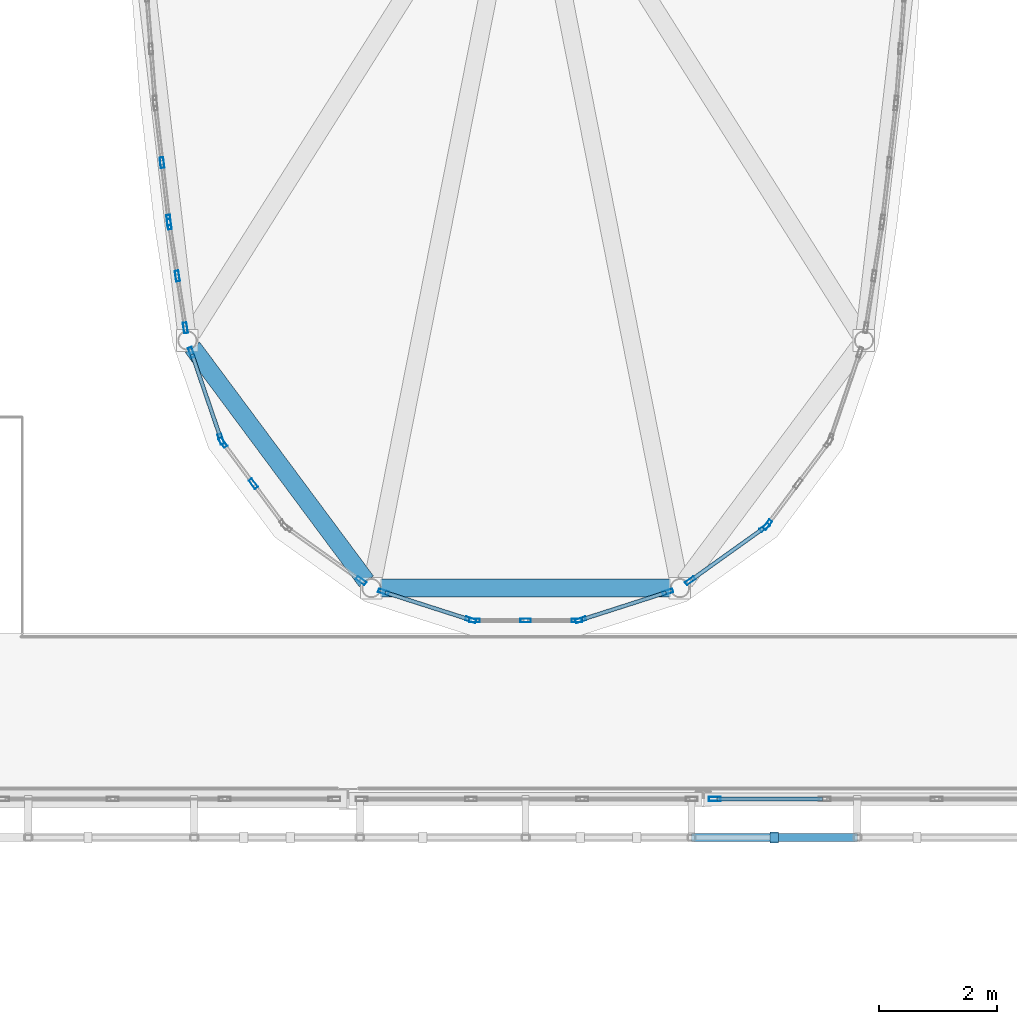
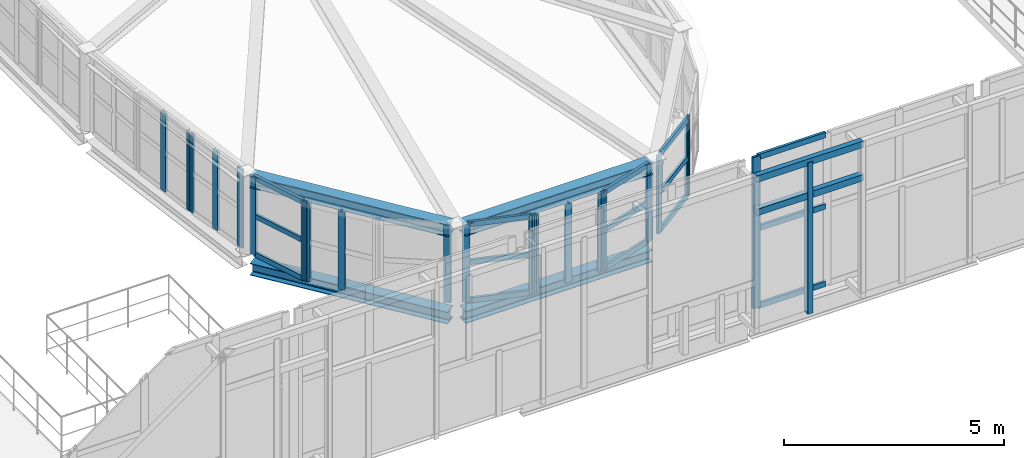
# One storey, part 23 of 78: 39 members, 4 beams, 11 elements without a shape of their own.
"""IFC4 building model written with IfcOpenShell, lengths in metres."""

from ifc_helpers import new_model, si_unit, direction, frame, origin, origin_2d, place, context, subcontext, project, spatial, rectangle, hollow_rectangle, i_section, extrude, material, layer, layer_set, material_profile, profile_set, type_object, element, aggregate, save


model = new_model("IFC4")

# Units and contexts
model_context = context("Model", 3, precision=1e-05, world=origin(), true_north=direction((0.0, 1.0)))
body_context = subcontext(model_context, "Body", "Model", "MODEL_VIEW")
ifc_project = project(units=[si_unit("LENGTHUNIT", "METRE"), si_unit("AREAUNIT", "SQUARE_METRE"), si_unit("VOLUMEUNIT", "CUBIC_METRE"), si_unit("PLANEANGLEUNIT", "RADIAN"), si_unit("MASSUNIT", "GRAM", prefix="KILO")], contexts=[model_context])

# Site, building, storey
site_placement = place(None, origin())
site = spatial("IfcSite", under=ifc_project, at=site_placement, CompositionType="ELEMENT")
building_placement = place(site_placement, origin())
building = spatial("IfcBuilding", under=site, at=building_placement, Name="Vinh Khe Railworks Police Headquarters", CompositionType="ELEMENT")
storey_placement = place(building_placement, frame((0.0, 0.0, 13.199951171875)))
storey = spatial("IfcBuildingStorey", under=building, at=storey_placement, Name="L03", CompositionType="ELEMENT", Elevation=13.199951171875)

# Members
ifc_material_1 = material(Name="Salvaged ironwood timber", Category="wood")
ifc_material_profile_1 = material_profile(ifc_material_1, rectangle(XDim=0.139892578125, YDim=0.179931640625, at=origin_2d()), Name="TIMBER 140x180")
ifc_profile_set_1 = profile_set([ifc_material_profile_1], Name="Salvaged ironwood timber")
member_type_1 = type_object("IfcMemberType", Name="MEM-QUILT-STILE", PredefinedType="CHORD", material=ifc_profile_set_1)
for number, where, z_axis, x_axis, name in (
    (1, (46.0, 24.550048828125, 4.1201171875), (1.0, 0.0, 0.0), (0.0, 1.0, 0.0), "Salvaged Timber Quilt Transom S-L03-07-TOP"),
    (2, (46.0, 24.550048828125, 3.192138671875), (1.0, 0.0, 0.0), (0.0, 1.0, 0.0), "Salvaged Timber Quilt Transom S-L03-07-M1"),
):
    element("IfcMember", number, at=place(storey_placement, frame(where, z_axis=z_axis, x_axis=x_axis)), inside=storey, type_object=member_type_1, Name=name, PredefinedType="CHORD", context=body_context, shape_type="SweptSolid", body=[
        extrude(rectangle(XDim=0.139892578125, YDim=0.179931640625, at=origin_2d()), origin(), (0.0, 0.0, 1.0), 2.800048828125),
    ])
member_1_placement = place(storey_placement, frame((47.39990234375, 24.550048828125, -0.079833984375), z_axis=(0.0, 0.0, 1.0), x_axis=(1.0, 0.0, 0.0)))
element("IfcMember", 3, at=member_1_placement, inside=storey, type_object=member_type_1, Name="Salvaged Timber Quilt Stile S-L03-07-V1", PredefinedType="POST", context=body_context, shape_type="SweptSolid", body=[
    extrude(rectangle(XDim=0.139892578125, YDim=0.179931640625, at=origin_2d()), origin(), (0.0, 0.0, 1.0), 4.199951171875),
])

# Curtain wall, members
ifc_material_2 = material(Name="Anodised aluminium and acoustic laminated glass", Category="aluminium")
ifc_layer_1 = layer(ifc_material_2, 0.159912109375)
ifc_layer_set_1 = layer_set([ifc_layer_1], Name="Anodised aluminium and acoustic laminated glass")
curtain_wall_type_1 = type_object("IfcCurtainWallType", Name="CW-DRUM-CHORD", PredefinedType="USERDEFINED", material=ifc_layer_set_1)
curtain_wall_1_placement = place(storey_placement, origin())
curtain_wall_1 = element("IfcCurtainWall", 4, at=curtain_wall_1_placement, inside=storey, type_object=curtain_wall_type_1, Name="Elliptical Command Drum Glazing L03 Chord 26", ObjectType="DRUM FACADE GLAZING", PredefinedType="USERDEFINED")
ifc_material_3 = material(Name="Anodised aluminium 6063-T6", Category="aluminium")
ifc_material_profile_2 = material_profile(ifc_material_3, hollow_rectangle(XDim=0.06494140625, YDim=0.179931640625, WallThickness=0.0048828125, at=origin_2d()), Name="CW-M 65x180x5")
ifc_profile_set_2 = profile_set([ifc_material_profile_2], Name="Anodised aluminium 6063-T6")
member_type_2 = type_object("IfcMemberType", Name="MULL-CWM-02", PredefinedType="MULLION", material=ifc_profile_set_2)
member_2_placement = place(storey_placement, frame((37.059814453125, 35.947021484375, 0.0), z_axis=(0.0, 0.0, 1.0), x_axis=(0.993328656296, 0.115317737498, 0.0)))
member_2 = element("IfcMember", 5, at=member_2_placement, type_object=member_type_2, Name="CW-02 mullion 2", PredefinedType="MULLION", context=body_context, shape_type="SweptSolid", body=[
    extrude(hollow_rectangle(XDim=0.06494140625, YDim=0.179931640625, WallThickness=0.0048828125, at=origin_2d()), origin(), (0.0, 0.0, 1.0), 2.179931640625),
])
member_3_placement = place(storey_placement, frame((37.1728515625, 34.974853515625, 0.0), z_axis=(0.0, 0.0, 1.0), x_axis=(0.993328656296, 0.115317737498, 0.0)))
member_3 = element("IfcMember", 6, at=member_3_placement, type_object=member_type_2, Name="CW-02 mullion 3", PredefinedType="MULLION", context=body_context, shape_type="SweptSolid", body=[
    extrude(hollow_rectangle(XDim=0.06494140625, YDim=0.179931640625, WallThickness=0.0048828125, at=origin_2d()), origin(), (0.0, 0.0, 1.0), 2.179931640625),
])
aggregate(curtain_wall_1, [member_2, member_3])

curtain_wall_2_placement = place(storey_placement, origin())
curtain_wall_2 = element("IfcCurtainWall", 7, at=curtain_wall_2_placement, inside=storey, type_object=curtain_wall_type_1, Name="Elliptical Command Drum Glazing L03 Chord 27", ObjectType="DRUM FACADE GLAZING", PredefinedType="USERDEFINED")
member_4_placement = place(storey_placement, frame((37.181396484375, 34.910400390625, 0.0), z_axis=(0.0, 0.0, 1.0), x_axis=(0.988150371063, 0.153488905684, 0.0)))
member_4 = element("IfcMember", 8, at=member_4_placement, type_object=member_type_2, Name="CW-02 mullion 1", PredefinedType="MULLION", context=body_context, shape_type="SweptSolid", body=[
    extrude(hollow_rectangle(XDim=0.06494140625, YDim=0.179931640625, WallThickness=0.0048828125, at=origin_2d()), origin(), (0.0, 0.0, 1.0), 2.179931640625),
])
member_5_placement = place(storey_placement, frame((37.31787109375, 34.033203125, 0.0), z_axis=(0.0, 0.0, 1.0), x_axis=(0.988150371063, 0.153488905684, 0.0)))
member_5 = element("IfcMember", 9, at=member_5_placement, type_object=member_type_2, Name="CW-02 mullion 2", PredefinedType="MULLION", context=body_context, shape_type="SweptSolid", body=[
    extrude(hollow_rectangle(XDim=0.06494140625, YDim=0.179931640625, WallThickness=0.0048828125, at=origin_2d()), origin(), (0.0, 0.0, 1.0), 2.179931640625),
])
member_6_placement = place(storey_placement, frame((37.4541015625, 33.156005859375, 0.0), z_axis=(0.0, 0.0, 1.0), x_axis=(0.988150371063, 0.153488905684, 0.0)))
member_6 = element("IfcMember", 10, at=member_6_placement, type_object=member_type_2, Name="CW-02 mullion 3", PredefinedType="MULLION", context=body_context, shape_type="SweptSolid", body=[
    extrude(hollow_rectangle(XDim=0.06494140625, YDim=0.179931640625, WallThickness=0.0048828125, at=origin_2d()), origin(), (0.0, 0.0, 1.0), 2.179931640625),
])
aggregate(curtain_wall_2, [member_4, member_5, member_6])

curtain_wall_3_placement = place(storey_placement, origin())
curtain_wall_3 = element("IfcCurtainWall", 11, at=curtain_wall_3_placement, inside=storey, type_object=curtain_wall_type_1, Name="Elliptical Command Drum Glazing L03 Chord 28", ObjectType="DRUM FACADE GLAZING", PredefinedType="USERDEFINED")
member_7_placement = place(storey_placement, frame((37.55615234375, 32.7412109375, 0.0), z_axis=(0.0, 0.0, 1.0), x_axis=(0.946484607162, 0.322748955701, 0.0)))
member_7 = element("IfcMember", 12, at=member_7_placement, type_object=member_type_2, Name="CW-02 mullion 1", PredefinedType="MULLION", context=body_context, shape_type="SweptSolid", body=[
    extrude(hollow_rectangle(XDim=0.06494140625, YDim=0.179931640625, WallThickness=0.0048828125, at=origin_2d()), origin(), (0.0, 0.0, 1.0), 2.179931640625),
])
member_8_placement = place(storey_placement, frame((38.055419921875, 31.27685546875, 0.0), z_axis=(0.0, 0.0, 1.0), x_axis=(0.946484607162, 0.322748955701, 0.0)))
member_8 = element("IfcMember", 13, at=member_8_placement, type_object=member_type_2, Name="CW-02 mullion 2", PredefinedType="MULLION", context=body_context, shape_type="SweptSolid", body=[
    extrude(hollow_rectangle(XDim=0.06494140625, YDim=0.179931640625, WallThickness=0.0048828125, at=origin_2d()), origin(), (0.0, 0.0, 1.0), 2.179931640625),
])

curtain_wall_4_placement = place(storey_placement, origin())
curtain_wall_4 = element("IfcCurtainWall", 14, at=curtain_wall_4_placement, inside=storey, type_object=curtain_wall_type_1, Name="Elliptical Command Drum Glazing L03 Chord 29", ObjectType="DRUM FACADE GLAZING", PredefinedType="USERDEFINED")
member_9_placement = place(storey_placement, frame((38.085205078125, 31.22021484375, 0.0), z_axis=(0.0, 0.0, 1.0), x_axis=(0.802591949394, 0.596528425784, 0.0)))
member_9 = element("IfcMember", 15, at=member_9_placement, type_object=member_type_2, Name="CW-02 mullion 1", PredefinedType="MULLION", context=body_context, shape_type="SweptSolid", body=[
    extrude(hollow_rectangle(XDim=0.06494140625, YDim=0.179931640625, WallThickness=0.0048828125, at=origin_2d()), origin(), (0.0, 0.0, 1.0), 2.179931640625),
])
member_10_placement = place(storey_placement, frame((38.60107421875, 30.5263671875, 0.0), z_axis=(0.0, 0.0, 1.0), x_axis=(0.802591949394, 0.596528425784, 0.0)))
member_10 = element("IfcMember", 16, at=member_10_placement, type_object=member_type_2, Name="CW-02 mullion 2", PredefinedType="MULLION", context=body_context, shape_type="SweptSolid", body=[
    extrude(hollow_rectangle(XDim=0.06494140625, YDim=0.179931640625, WallThickness=0.0048828125, at=origin_2d()), origin(), (0.0, 0.0, 1.0), 2.179931640625),
])
aggregate(curtain_wall_4, [member_9, member_10])

# Curtain wall, member
curtain_wall_5_placement = place(storey_placement, origin())
curtain_wall_5 = element("IfcCurtainWall", 17, at=curtain_wall_5_placement, inside=storey, type_object=curtain_wall_type_1, Name="Elliptical Command Drum Glazing L03 Chord 30", ObjectType="DRUM FACADE GLAZING", PredefinedType="USERDEFINED")
member_11_placement = place(storey_placement, frame((40.42041015625, 28.88720703125, 0.0), z_axis=(0.0, 0.0, 1.0), x_axis=(0.581914029649, 0.813250307161, 0.0)))
member_11 = element("IfcMember", 18, at=member_11_placement, type_object=member_type_2, Name="CW-02 mullion 2", PredefinedType="MULLION", context=body_context, shape_type="SweptSolid", body=[
    extrude(hollow_rectangle(XDim=0.06494140625, YDim=0.179931640625, WallThickness=0.0048828125, at=origin_2d()), origin(), (0.0, 0.0, 1.0), 2.179931640625),
])
aggregate(curtain_wall_5, [member_11])

# Curtain wall, members
curtain_wall_6_placement = place(storey_placement, origin())
curtain_wall_6 = element("IfcCurtainWall", 19, at=curtain_wall_6_placement, inside=storey, type_object=curtain_wall_type_1, Name="Elliptical Command Drum Glazing L03 Chord 31", ObjectType="DRUM FACADE GLAZING", PredefinedType="USERDEFINED")
member_12_placement = place(storey_placement, frame((40.799072265625, 28.697021484375, 0.0), z_axis=(0.0, 0.0, 1.0), x_axis=(0.305579420681, 0.952166591336, 0.0)))
member_12 = element("IfcMember", 20, at=member_12_placement, type_object=member_type_2, Name="CW-02 mullion 1", PredefinedType="MULLION", context=body_context, shape_type="SweptSolid", body=[
    extrude(hollow_rectangle(XDim=0.06494140625, YDim=0.179931640625, WallThickness=0.0048828125, at=origin_2d()), origin(), (0.0, 0.0, 1.0), 2.179931640625),
])
member_13_placement = place(storey_placement, frame((42.27197265625, 28.224365234375, 0.0), z_axis=(0.0, 0.0, 1.0), x_axis=(0.305579420681, 0.952166591336, 0.0)))
member_13 = element("IfcMember", 21, at=member_13_placement, type_object=member_type_2, Name="CW-02 mullion 2", PredefinedType="MULLION", context=body_context, shape_type="SweptSolid", body=[
    extrude(hollow_rectangle(XDim=0.06494140625, YDim=0.179931640625, WallThickness=0.0048828125, at=origin_2d()), origin(), (0.0, 0.0, 1.0), 2.179931640625),
])

curtain_wall_7_placement = place(storey_placement, origin())
curtain_wall_7 = element("IfcCurtainWall", 22, at=curtain_wall_7_placement, inside=storey, type_object=curtain_wall_type_1, Name="Elliptical Command Drum Glazing L03 Chord 32", ObjectType="DRUM FACADE GLAZING", PredefinedType="USERDEFINED")
member_14_placement = place(storey_placement, frame((42.33544921875, 28.21435546875, 0.0), z_axis=(0.0, 0.0, 1.0), x_axis=(0.0, 1.0, 0.0)))
member_14 = element("IfcMember", 23, at=member_14_placement, type_object=member_type_2, Name="CW-02 mullion 1", PredefinedType="MULLION", context=body_context, shape_type="SweptSolid", body=[
    extrude(hollow_rectangle(XDim=0.06494140625, YDim=0.179931640625, WallThickness=0.0048828125, at=origin_2d()), origin(), (0.0, 0.0, 1.0), 2.179931640625),
])
member_15_placement = place(storey_placement, frame((43.199951171875, 28.21435546875, 0.0), z_axis=(0.0, 0.0, 1.0), x_axis=(0.0, 1.0, 0.0)))
member_15 = element("IfcMember", 24, at=member_15_placement, type_object=member_type_2, Name="CW-02 mullion 2", PredefinedType="MULLION", context=body_context, shape_type="SweptSolid", body=[
    extrude(hollow_rectangle(XDim=0.06494140625, YDim=0.179931640625, WallThickness=0.0048828125, at=origin_2d()), origin(), (0.0, 0.0, 1.0), 2.179931640625),
])
member_16_placement = place(storey_placement, frame((44.064453125, 28.21435546875, 0.0), z_axis=(0.0, 0.0, 1.0), x_axis=(0.0, 1.0, 0.0)))
member_16 = element("IfcMember", 25, at=member_16_placement, type_object=member_type_2, Name="CW-02 mullion 3", PredefinedType="MULLION", context=body_context, shape_type="SweptSolid", body=[
    extrude(hollow_rectangle(XDim=0.06494140625, YDim=0.179931640625, WallThickness=0.0048828125, at=origin_2d()), origin(), (0.0, 0.0, 1.0), 2.179931640625),
])
aggregate(curtain_wall_7, [member_14, member_15, member_16])

curtain_wall_8_placement = place(storey_placement, origin())
curtain_wall_8 = element("IfcCurtainWall", 26, at=curtain_wall_8_placement, inside=storey, type_object=curtain_wall_type_1, Name="Elliptical Command Drum Glazing L03 Chord 33", ObjectType="DRUM FACADE GLAZING", PredefinedType="USERDEFINED")
member_17_placement = place(storey_placement, frame((44.1279296875, 28.224365234375, 0.0), z_axis=(0.0, 0.0, 1.0), x_axis=(-0.305579420681, 0.952166591336, 0.0)))
member_17 = element("IfcMember", 27, at=member_17_placement, type_object=member_type_2, Name="CW-02 mullion 1", PredefinedType="MULLION", context=body_context, shape_type="SweptSolid", body=[
    extrude(hollow_rectangle(XDim=0.06494140625, YDim=0.179931640625, WallThickness=0.0048828125, at=origin_2d()), origin(), (0.0, 0.0, 1.0), 2.179931640625),
])
member_18_placement = place(storey_placement, frame((45.600830078125, 28.697021484375, 0.0), z_axis=(0.0, 0.0, 1.0), x_axis=(-0.305579420681, 0.952166591336, 0.0)))
member_18 = element("IfcMember", 28, at=member_18_placement, type_object=member_type_2, Name="CW-02 mullion 2", PredefinedType="MULLION", context=body_context, shape_type="SweptSolid", body=[
    extrude(hollow_rectangle(XDim=0.06494140625, YDim=0.179931640625, WallThickness=0.0048828125, at=origin_2d()), origin(), (0.0, 0.0, 1.0), 2.179931640625),
])

curtain_wall_9_placement = place(storey_placement, origin())
curtain_wall_9 = element("IfcCurtainWall", 29, at=curtain_wall_9_placement, inside=storey, type_object=curtain_wall_type_1, Name="Elliptical Command Drum Glazing L03 Chord 34", ObjectType="DRUM FACADE GLAZING", PredefinedType="USERDEFINED")
member_19_placement = place(storey_placement, frame((45.9794921875, 28.88720703125, 0.0), z_axis=(0.0, 0.0, 1.0), x_axis=(-0.581914029649, 0.813250307161, 0.0)))
member_19 = element("IfcMember", 30, at=member_19_placement, type_object=member_type_2, Name="CW-02 mullion 1", PredefinedType="MULLION", context=body_context, shape_type="SweptSolid", body=[
    extrude(hollow_rectangle(XDim=0.06494140625, YDim=0.179931640625, WallThickness=0.0048828125, at=origin_2d()), origin(), (0.0, 0.0, 1.0), 2.179931640625),
])
member_20_placement = place(storey_placement, frame((47.237548828125, 29.78759765625, 0.0), z_axis=(0.0, 0.0, 1.0), x_axis=(-0.581914029649, 0.813250307161, 0.0)))
member_20 = element("IfcMember", 31, at=member_20_placement, type_object=member_type_2, Name="CW-02 mullion 2", PredefinedType="MULLION", context=body_context, shape_type="SweptSolid", body=[
    extrude(hollow_rectangle(XDim=0.06494140625, YDim=0.179931640625, WallThickness=0.0048828125, at=origin_2d()), origin(), (0.0, 0.0, 1.0), 2.179931640625),
])

# Curtain wall, member
curtain_wall_10_placement = place(storey_placement, origin())
curtain_wall_10 = element("IfcCurtainWall", 32, at=curtain_wall_10_placement, inside=storey, type_object=curtain_wall_type_1, Name="Elliptical Command Drum Glazing L03 Chord 35", ObjectType="DRUM FACADE GLAZING", PredefinedType="USERDEFINED")
member_21_placement = place(storey_placement, frame((47.283447265625, 29.83251953125, 0.0), z_axis=(0.0, 0.0, 1.0), x_axis=(-0.802591949394, 0.596528425784, 0.0)))
member_21 = element("IfcMember", 33, at=member_21_placement, type_object=member_type_2, Name="CW-02 mullion 1", PredefinedType="MULLION", context=body_context, shape_type="SweptSolid", body=[
    extrude(hollow_rectangle(XDim=0.06494140625, YDim=0.179931640625, WallThickness=0.0048828125, at=origin_2d()), origin(), (0.0, 0.0, 1.0), 2.179931640625),
])
aggregate(curtain_wall_10, [member_21])

ifc_material_4 = material(Name="Anodised aluminium and low-iron glass", Category="aluminium")
ifc_layer_2 = layer(ifc_material_4, 0.179931640625)
ifc_layer_set_2 = layer_set([ifc_layer_2], Name="Anodised aluminium and low-iron glass")
curtain_wall_type_2 = type_object("IfcCurtainWallType", Name="CW-CUBE-UNIT", PredefinedType="USERDEFINED", material=ifc_layer_set_2)
curtain_wall_11_placement = place(storey_placement, origin())
curtain_wall_11 = element("IfcCurtainWall", 34, at=curtain_wall_11_placement, inside=storey, type_object=curtain_wall_type_2, Name="Entrance Hall Curtain Wall L03 S-4", ObjectType="UNITISED GLAZING", PredefinedType="USERDEFINED")
ifc_material_profile_3 = material_profile(ifc_material_3, hollow_rectangle(XDim=0.070068359375, YDim=0.199951171875, WallThickness=0.0048828125, at=origin_2d()), Name="CW-M 70x200x5")
ifc_profile_set_3 = profile_set([ifc_material_profile_3], Name="Anodised aluminium 6063-T6")
member_type_3 = type_object("IfcMemberType", Name="MULL-CWM-03", PredefinedType="MULLION", material=ifc_profile_set_3)
member_22_placement = place(storey_placement, frame((46.39501953125, 25.199951171875, 0.0), z_axis=(0.0, 0.0, 1.0), x_axis=(0.0, 1.0, 0.0)))
member_22 = element("IfcMember", 35, at=member_22_placement, type_object=member_type_3, Name="CW-01 mullion 1", PredefinedType="MULLION", context=body_context, shape_type="SweptSolid", body=[
    extrude(hollow_rectangle(XDim=0.070068359375, YDim=0.199951171875, WallThickness=0.0048828125, at=origin_2d()), origin(), (0.0, 0.0, 1.0), 4.199951171875),
])

# Beams
ifc_material_5 = material(Name="Steel S355JR", Category="steel")
ifc_material_profile_4 = material_profile(ifc_material_5, i_section(OverallWidth=0.300048828125, OverallDepth=0.330078125, WebThickness=0.009521484375, FlangeThickness=0.0166015625, FilletRadius=0.027099609375, at=origin_2d()), Name="HEA 340")
ifc_profile_set_4 = profile_set([ifc_material_profile_4], Name="Steel S355JR")
beam_type = type_object("IfcBeamType", Name="Steel Girder HEA 340", PredefinedType="BEAM", material=ifc_profile_set_4)
for number, where, z_axis, x_axis, name in (
    (36, (37.5810546875, 32.8173828125, -0.385009765625), (0.596530617739, -0.802590320213, 0.0), (0.802590320213, 0.596530617739, 0.0), "Drum Ring Girder BM-L03-DRUM-SB-16-1273"),
    (37, (40.752685546875, 28.762451171875, -0.385009765625), (1.0, 0.0, 0.0), (0.0, 1.0, 0.0), "Drum Ring Girder BM-L03-DRUM-SB-16-1274"),
):
    element("IfcBeam", number, at=place(storey_placement, frame(where, z_axis=z_axis, x_axis=x_axis)), inside=storey, type_object=beam_type, Name=name, PredefinedType="BEAM", context=body_context, shape_type="SweptSolid", body=[
        extrude(i_section(OverallWidth=0.300048828125, OverallDepth=0.330078125, WebThickness=0.009521484375, FlangeThickness=0.0166015625, FilletRadius=0.027099609375, at=origin_2d()), origin(), (0.0, 0.0, 1.0), 4.89453125),
    ])
for number, where, z_axis, x_axis, name in (
    (38, (37.571533203125, 32.830078125, 2.03515625), (0.596553006041, -0.802573679474, 0.0), (0.802573679474, 0.596553006041, 0.0), "Drum Ring Girder BM-L03-DRUM-SB-16-1479"),
    (39, (40.73681640625, 28.762451171875, 2.03515625), (1.0, 0.0, 0.0), (0.0, 1.0, 0.0), "Drum Ring Girder BM-L03-DRUM-SB-16-1480"),
):
    element("IfcBeam", number, at=place(storey_placement, frame(where, z_axis=z_axis, x_axis=x_axis)), inside=storey, type_object=beam_type, Name=name, PredefinedType="BEAM", context=body_context, shape_type="SweptSolid", body=[
        extrude(i_section(OverallWidth=0.300048828125, OverallDepth=0.330078125, WebThickness=0.009521484375, FlangeThickness=0.0166015625, FilletRadius=0.027099609375, at=origin_2d()), origin(), (0.0, 0.0, 1.0), 4.92626953125),
    ])

# Member
ifc_material_profile_5 = material_profile(ifc_material_3, hollow_rectangle(XDim=0.06494140625, YDim=0.139892578125, WallThickness=0.00390625, at=origin_2d()), Name="CW-T 65x140x4")
ifc_profile_set_5 = profile_set([ifc_material_profile_5], Name="Anodised aluminium 6063-T6")
member_type_4 = type_object("IfcMemberType", Name="TRAN-CWT-02", PredefinedType="USERDEFINED", material=ifc_profile_set_5)
member_23_placement = place(storey_placement, frame((37.566650390625, 32.71044921875, 0.032470703125), z_axis=(0.322694051316, -0.946503327646, 0.0), x_axis=(0.946503327646, 0.322694051316, 0.0)))
member_23 = element("IfcMember", 40, at=member_23_placement, type_object=member_type_4, Name="CW-02 transom 1.1", ObjectType="TRANSOM", PredefinedType="USERDEFINED", context=body_context, shape_type="SweptSolid", body=[
    extrude(hollow_rectangle(XDim=0.06494140625, YDim=0.139892578125, WallThickness=0.00390625, at=origin_2d()), origin(), (0.0, 0.0, 1.0), 1.482177734375),
])

member_24_placement = place(storey_placement, frame((37.566650390625, 32.71044921875, 1.090087890625), z_axis=(0.322694051316, -0.946503327646, 0.0), x_axis=(0.946503327646, 0.322694051316, 0.0)))
member_24 = element("IfcMember", 41, at=member_24_placement, type_object=member_type_4, Name="CW-02 transom 1.2", ObjectType="TRANSOM", PredefinedType="USERDEFINED", context=body_context, shape_type="SweptSolid", body=[
    extrude(hollow_rectangle(XDim=0.06494140625, YDim=0.139892578125, WallThickness=0.00390625, at=origin_2d()), origin(), (0.0, 0.0, 1.0), 1.482177734375),
])

member_25_placement = place(storey_placement, frame((37.566650390625, 32.71044921875, 2.1474609375), z_axis=(0.322694051316, -0.946503327646, 0.0), x_axis=(0.946503327646, 0.322694051316, 0.0)))
member_25 = element("IfcMember", 42, at=member_25_placement, type_object=member_type_4, Name="CW-02 transom 1.3", ObjectType="TRANSOM", PredefinedType="USERDEFINED", context=body_context, shape_type="SweptSolid", body=[
    extrude(hollow_rectangle(XDim=0.06494140625, YDim=0.139892578125, WallThickness=0.00390625, at=origin_2d()), origin(), (0.0, 0.0, 1.0), 1.482177734375),
])

aggregate(curtain_wall_3, [member_7, member_8, member_23, member_24, member_25])

member_26_placement = place(storey_placement, frame((40.830078125, 28.68701171875, 0.032470703125), z_axis=(0.95216558578, -0.305582553914, 0.0), x_axis=(0.305582553914, 0.95216558578, 0.0)))
member_26 = element("IfcMember", 43, at=member_26_placement, type_object=member_type_4, Name="CW-02 transom 1.1", ObjectType="TRANSOM", PredefinedType="USERDEFINED", context=body_context, shape_type="SweptSolid", body=[
    extrude(hollow_rectangle(XDim=0.06494140625, YDim=0.139892578125, WallThickness=0.00390625, at=origin_2d()), origin(), (0.0, 0.0, 1.0), 1.48193359375),
])

member_27_placement = place(storey_placement, frame((40.830078125, 28.68701171875, 1.090087890625), z_axis=(0.95216558578, -0.305582553914, 0.0), x_axis=(0.305582553914, 0.95216558578, 0.0)))
member_27 = element("IfcMember", 44, at=member_27_placement, type_object=member_type_4, Name="CW-02 transom 1.2", ObjectType="TRANSOM", PredefinedType="USERDEFINED", context=body_context, shape_type="SweptSolid", body=[
    extrude(hollow_rectangle(XDim=0.06494140625, YDim=0.139892578125, WallThickness=0.00390625, at=origin_2d()), origin(), (0.0, 0.0, 1.0), 1.48193359375),
])

member_28_placement = place(storey_placement, frame((40.830078125, 28.68701171875, 2.1474609375), z_axis=(0.95216558578, -0.305582553914, 0.0), x_axis=(0.305582553914, 0.95216558578, 0.0)))
member_28 = element("IfcMember", 45, at=member_28_placement, type_object=member_type_4, Name="CW-02 transom 1.3", ObjectType="TRANSOM", PredefinedType="USERDEFINED", context=body_context, shape_type="SweptSolid", body=[
    extrude(hollow_rectangle(XDim=0.06494140625, YDim=0.139892578125, WallThickness=0.00390625, at=origin_2d()), origin(), (0.0, 0.0, 1.0), 1.48193359375),
])

aggregate(curtain_wall_6, [member_12, member_13, member_26, member_27, member_28])

member_29_placement = place(storey_placement, frame((44.158935546875, 28.234130859375, 0.032470703125), z_axis=(0.95216558578, 0.305582553914, 0.0), x_axis=(-0.305582553914, 0.95216558578, 0.0)))
member_29 = element("IfcMember", 46, at=member_29_placement, type_object=member_type_4, Name="CW-02 transom 1.1", ObjectType="TRANSOM", PredefinedType="USERDEFINED", context=body_context, shape_type="SweptSolid", body=[
    extrude(hollow_rectangle(XDim=0.06494140625, YDim=0.139892578125, WallThickness=0.00390625, at=origin_2d()), origin(), (0.0, 0.0, 1.0), 1.48193359375),
])

member_30_placement = place(storey_placement, frame((44.158935546875, 28.234130859375, 1.090087890625), z_axis=(0.95216558578, 0.305582553914, 0.0), x_axis=(-0.305582553914, 0.95216558578, 0.0)))
member_30 = element("IfcMember", 47, at=member_30_placement, type_object=member_type_4, Name="CW-02 transom 1.2", ObjectType="TRANSOM", PredefinedType="USERDEFINED", context=body_context, shape_type="SweptSolid", body=[
    extrude(hollow_rectangle(XDim=0.06494140625, YDim=0.139892578125, WallThickness=0.00390625, at=origin_2d()), origin(), (0.0, 0.0, 1.0), 1.48193359375),
])

member_31_placement = place(storey_placement, frame((44.158935546875, 28.234130859375, 2.1474609375), z_axis=(0.95216558578, 0.305582553914, 0.0), x_axis=(-0.305582553914, 0.95216558578, 0.0)))
member_31 = element("IfcMember", 48, at=member_31_placement, type_object=member_type_4, Name="CW-02 transom 1.3", ObjectType="TRANSOM", PredefinedType="USERDEFINED", context=body_context, shape_type="SweptSolid", body=[
    extrude(hollow_rectangle(XDim=0.06494140625, YDim=0.139892578125, WallThickness=0.00390625, at=origin_2d()), origin(), (0.0, 0.0, 1.0), 1.48193359375),
])

aggregate(curtain_wall_8, [member_17, member_18, member_29, member_30, member_31])

member_32_placement = place(storey_placement, frame((46.005859375, 28.90625, 0.032470703125), z_axis=(0.813299143966, 0.581845772025, 0.0), x_axis=(-0.581845772025, 0.813299143966, 0.0)))
member_32 = element("IfcMember", 49, at=member_32_placement, type_object=member_type_4, Name="CW-02 transom 1.1", ObjectType="TRANSOM", PredefinedType="USERDEFINED", context=body_context, shape_type="SweptSolid", body=[
    extrude(hollow_rectangle(XDim=0.06494140625, YDim=0.139892578125, WallThickness=0.00390625, at=origin_2d()), origin(), (0.0, 0.0, 1.0), 1.48193359375),
])

member_33_placement = place(storey_placement, frame((46.005859375, 28.90625, 1.090087890625), z_axis=(0.813299143966, 0.581845772025, 0.0), x_axis=(-0.581845772025, 0.813299143966, 0.0)))
member_33 = element("IfcMember", 50, at=member_33_placement, type_object=member_type_4, Name="CW-02 transom 1.2", ObjectType="TRANSOM", PredefinedType="USERDEFINED", context=body_context, shape_type="SweptSolid", body=[
    extrude(hollow_rectangle(XDim=0.06494140625, YDim=0.139892578125, WallThickness=0.00390625, at=origin_2d()), origin(), (0.0, 0.0, 1.0), 1.48193359375),
])

member_34_placement = place(storey_placement, frame((46.005859375, 28.90625, 2.1474609375), z_axis=(0.813299143966, 0.581845772025, 0.0), x_axis=(-0.581845772025, 0.813299143966, 0.0)))
member_34 = element("IfcMember", 51, at=member_34_placement, type_object=member_type_4, Name="CW-02 transom 1.3", ObjectType="TRANSOM", PredefinedType="USERDEFINED", context=body_context, shape_type="SweptSolid", body=[
    extrude(hollow_rectangle(XDim=0.06494140625, YDim=0.139892578125, WallThickness=0.00390625, at=origin_2d()), origin(), (0.0, 0.0, 1.0), 1.48193359375),
])

aggregate(curtain_wall_9, [member_19, member_20, member_32, member_33, member_34])

ifc_material_profile_6 = material_profile(ifc_material_3, hollow_rectangle(XDim=0.070068359375, YDim=0.14990234375, WallThickness=0.0048828125, at=origin_2d()), Name="CW-T 70x150x5")
ifc_profile_set_6 = profile_set([ifc_material_profile_6], Name="Anodised aluminium 6063-T6")
member_type_5 = type_object("IfcMemberType", Name="TRAN-CWT-03", PredefinedType="USERDEFINED", material=ifc_profile_set_6)
member_35_placement = place(storey_placement, frame((46.429931640625, 25.199951171875, 0.03515625), z_axis=(1.0, 0.0, 0.0), x_axis=(0.0, 1.0, 0.0)))
member_35 = element("IfcMember", 52, at=member_35_placement, type_object=member_type_5, Name="CW-01 transom 1.1", ObjectType="TRANSOM", PredefinedType="USERDEFINED", context=body_context, shape_type="SweptSolid", body=[
    extrude(hollow_rectangle(XDim=0.070068359375, YDim=0.14990234375, WallThickness=0.0048828125, at=origin_2d()), origin(), (0.0, 0.0, 1.0), 1.78515625),
])

member_36_placement = place(storey_placement, frame((46.429931640625, 25.199951171875, 2.18408203125), z_axis=(1.0, 0.0, 0.0), x_axis=(0.0, 1.0, 0.0)))
member_36 = element("IfcMember", 53, at=member_36_placement, type_object=member_type_5, Name="CW-01 transom 1.2", ObjectType="TRANSOM", PredefinedType="USERDEFINED", context=body_context, shape_type="SweptSolid", body=[
    extrude(hollow_rectangle(XDim=0.070068359375, YDim=0.14990234375, WallThickness=0.0048828125, at=origin_2d()), origin(), (0.0, 0.0, 1.0), 1.78515625),
])

member_37_placement = place(storey_placement, frame((46.429931640625, 25.199951171875, 4.1650390625), z_axis=(1.0, 0.0, 0.0), x_axis=(0.0, 1.0, 0.0)))
member_37 = element("IfcMember", 54, at=member_37_placement, type_object=member_type_5, Name="CW-01 transom 1.3", ObjectType="TRANSOM", PredefinedType="USERDEFINED", context=body_context, shape_type="SweptSolid", body=[
    extrude(hollow_rectangle(XDim=0.070068359375, YDim=0.14990234375, WallThickness=0.0048828125, at=origin_2d()), origin(), (0.0, 0.0, 1.0), 1.78515625),
])

aggregate(curtain_wall_11, [member_22, member_35, member_36, member_37])

save(model, "model.ifc")
